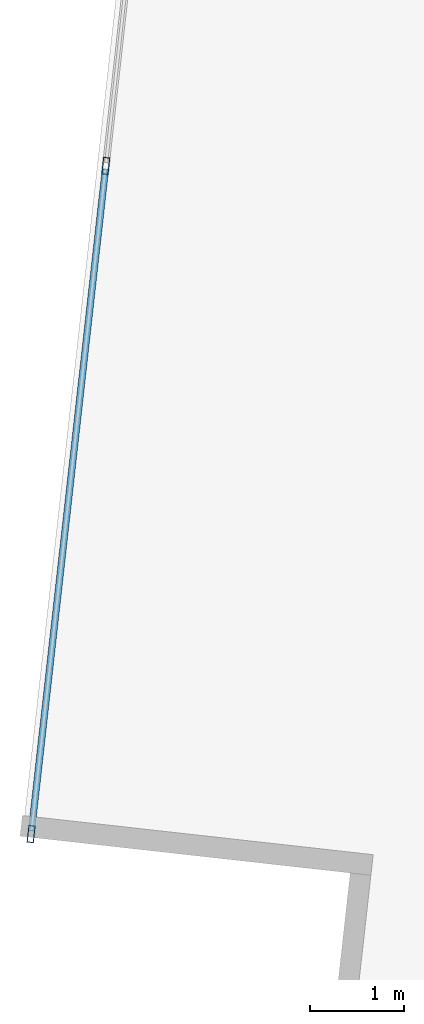
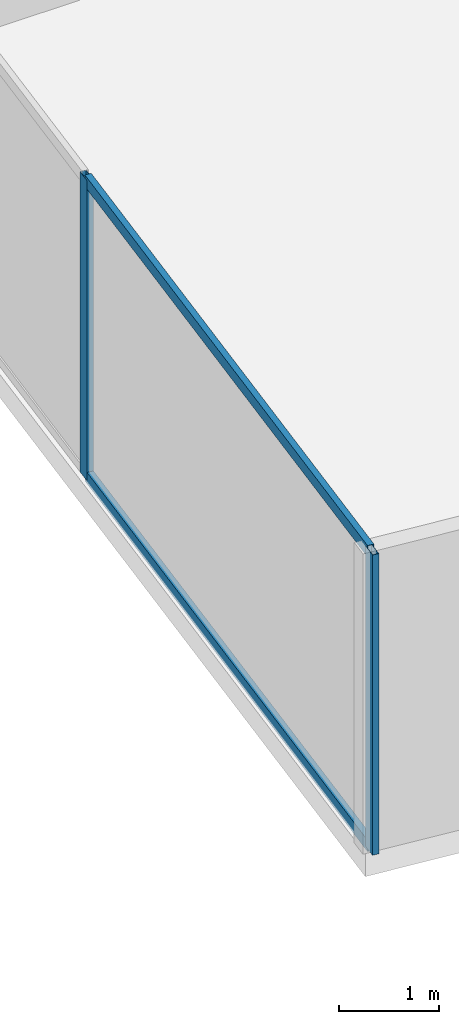
# One storey, part 3 of 28: 4 members, 1 element without a shape of its own.
"""IFC4 building model written with IfcOpenShell, lengths in metres."""

from ifc_helpers import new_model, si_unit, direction, frame, origin, origin_2d, place, context, subcontext, project, spatial, hollow_rectangle, extrude, source, transform, mapped, material, material_profile, profile_set, type_object, type_shapes, element, aggregate, save


model = new_model("IFC4")

# Units and contexts
model_context = context("Model", 3, precision=1e-05, world=origin(), true_north=direction((0.0, 1.0)))
body_context = subcontext(model_context, "Body", "Model", "MODEL_VIEW")
ifc_project = project(units=[si_unit("LENGTHUNIT", "METRE"), si_unit("AREAUNIT", "SQUARE_METRE"), si_unit("VOLUMEUNIT", "CUBIC_METRE"), si_unit("PLANEANGLEUNIT", "RADIAN"), si_unit("MASSUNIT", "GRAM", prefix="KILO")], contexts=[model_context])

# Site, building, storey
site_placement = place(None, origin())
site = spatial("IfcSite", under=ifc_project, at=site_placement, CompositionType="ELEMENT")
building_placement = place(site_placement, origin())
building = spatial("IfcBuilding", under=site, at=building_placement, Name="Krantzveldt Concourse Tower", CompositionType="ELEMENT")
storey_placement = place(building_placement, frame((0.0, 0.0, 64.5)))
storey = spatial("IfcBuildingStorey", under=building, at=storey_placement, Name="L15", CompositionType="ELEMENT", Elevation=64.5)

# Curtain wall, members
ifc_material = material(Name="Anodised aluminium 6063-T6", Category="aluminium")
curtain_wall_type = type_object("IfcCurtainWallType", Name="CW2", PredefinedType="USERDEFINED", material=ifc_material)
curtain_wall_placement = place(storey_placement, origin())
curtain_wall = element("IfcCurtainWall", 1, at=curtain_wall_placement, inside=storey, type_object=curtain_wall_type, Name="CW-L15-F01", ObjectType="UNITISED CURTAIN WALL", PredefinedType="USERDEFINED")
ifc_material_profile_1 = material_profile(ifc_material, hollow_rectangle(XDim=0.070068359375, YDim=0.179931640625, WallThickness=0.0048828125, at=origin_2d()), Name="Anodised aluminium 6063-T6", Category="aluminium")
ifc_profile_set_1 = profile_set([ifc_material_profile_1], Name="Anodised aluminium 6063-T6 - ALU-MULL 180x70x5")
member_type_1 = type_object("IfcMemberType", Name="CW-MUL-180", PredefinedType="MULLION", material=ifc_profile_set_1)
shared_shape_1 = source(origin(), body_context, "Body", "SweptSolid", [
    extrude(hollow_rectangle(XDim=0.070068359375, YDim=0.179931640625, WallThickness=0.0048828125, at=origin_2d()), origin(), (0.0, 0.0, 1.0), 3.669921875),
])
type_shapes(member_type_1, [shared_shape_1])
member_1_placement = place(storey_placement, frame((9.652587890625, 15.22119140625, 0.0), z_axis=(0.0, 0.0, 1.0), x_axis=(0.993816458223, -0.111035342863, 0.0)))
member_1 = element("IfcMember", 2, at=member_1_placement, type_object=member_type_1, Name="CW-Z12 mullion 6", PredefinedType="MULLION", context=body_context, shape_type="MappedRepresentation", body=[
    mapped(shared_shape_1, transform((0.0, 0.0, 0.0), x_axis=(1.0, 0.0, 0.0), y_axis=(0.0, 1.0, 0.0), z_axis=(0.0, 0.0, 1.0), scale=1.0)),
])
member_2_placement = place(storey_placement, frame((8.860595703125, 8.133544921875, 0.0), z_axis=(0.0, 0.0, 1.0), x_axis=(0.993816458223, -0.111035342863, 0.0)))
member_2 = element("IfcMember", 3, at=member_2_placement, type_object=member_type_1, Name="CW-Z12 mullion 7", PredefinedType="MULLION", context=body_context, shape_type="MappedRepresentation", body=[
    mapped(shared_shape_1, transform((0.0, 0.0, 0.0), x_axis=(1.0, 0.0, 0.0), y_axis=(0.0, 1.0, 0.0), z_axis=(0.0, 0.0, 1.0), scale=1.0)),
])
ifc_material_profile_2 = material_profile(ifc_material, hollow_rectangle(XDim=0.070068359375, YDim=0.139892578125, WallThickness=0.0048828125, at=origin_2d()), Name="Anodised aluminium 6063-T6", Category="aluminium")
ifc_profile_set_2 = profile_set([ifc_material_profile_2], Name="Anodised aluminium 6063-T6 - ALU-TRAN 140x70x5")
member_type_2 = type_object("IfcMemberType", Name="CW-TRN-150", PredefinedType="USERDEFINED", material=ifc_profile_set_2)
shared_shape_2 = source(origin(), body_context, "Body", "SweptSolid", [
    extrude(hollow_rectangle(XDim=0.070068359375, YDim=0.139892578125, WallThickness=0.0048828125, at=origin_2d()), origin(), (0.0, 0.0, 1.0), 7.061767578125),
])
type_shapes(member_type_2, [shared_shape_2])
member_3_placement = place(storey_placement, frame((9.648681640625, 15.1865234375, 0.034912109375), z_axis=(-0.111046217254, -0.993815243208, 0.0), x_axis=(0.993815243208, -0.111046217254, 0.0)))
member_3 = element("IfcMember", 4, at=member_3_placement, type_object=member_type_2, Name="CW-Z12 transom 6.1", ObjectType="TRANSOM", PredefinedType="USERDEFINED", context=body_context, shape_type="MappedRepresentation", body=[
    mapped(shared_shape_2, transform((0.0, 0.0, 0.0), x_axis=(1.0, 0.0, 0.0), y_axis=(0.0, 1.0, 0.0), z_axis=(0.0, 0.0, 1.0), scale=1.0)),
])
member_4_placement = place(storey_placement, frame((9.648681640625, 15.1865234375, 3.635009765625), z_axis=(-0.111046217254, -0.993815243208, 0.0), x_axis=(0.993815243208, -0.111046217254, 0.0)))
member_4 = element("IfcMember", 5, at=member_4_placement, type_object=member_type_2, Name="CW-Z12 transom 6.2", ObjectType="TRANSOM", PredefinedType="USERDEFINED", context=body_context, shape_type="MappedRepresentation", body=[
    mapped(shared_shape_2, transform((0.0, 0.0, 0.0), x_axis=(1.0, 0.0, 0.0), y_axis=(0.0, 1.0, 0.0), z_axis=(0.0, 0.0, 1.0), scale=1.0)),
])
aggregate(curtain_wall, [member_1, member_2, member_3, member_4])

save(model, "model.ifc")
